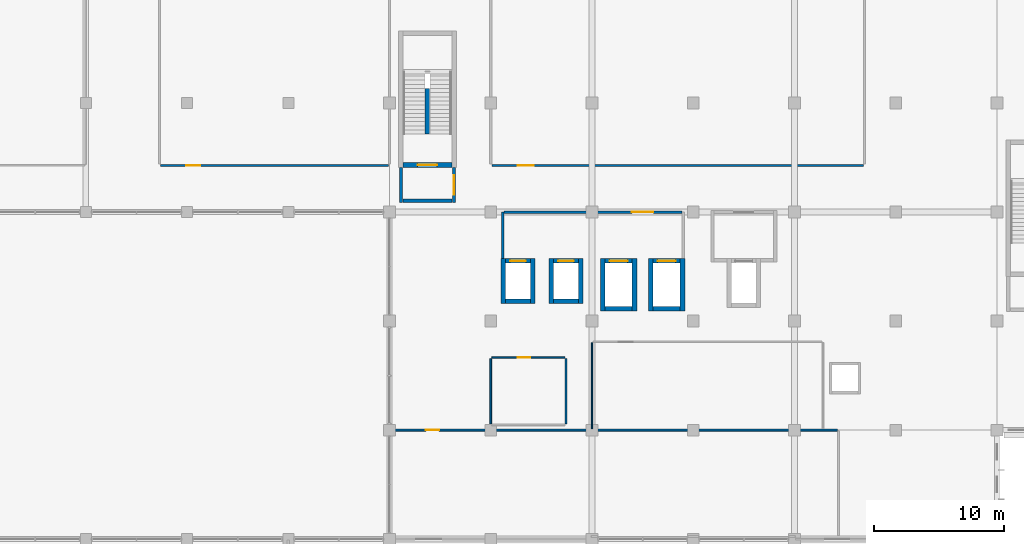
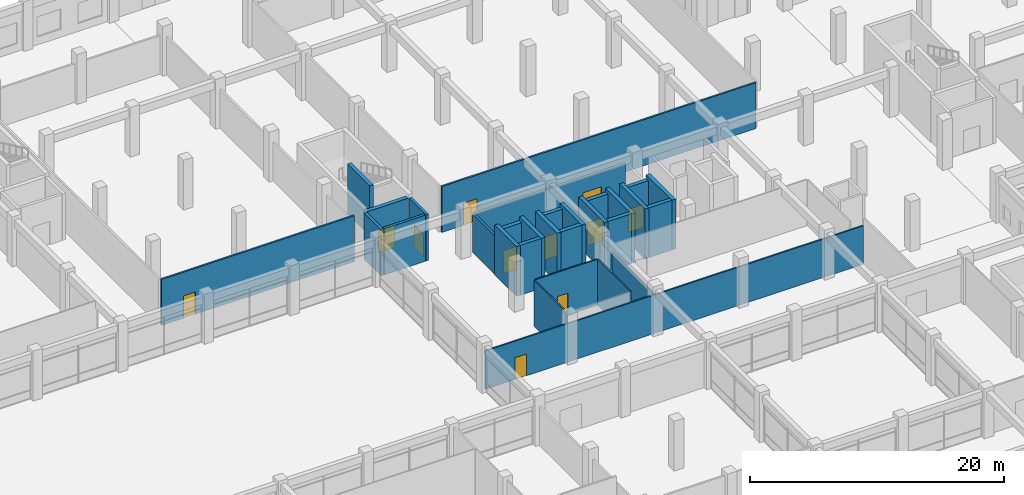
# One storey, part 51 of 74: 30 walls, 11 doors, 11 openings.
"""IFC4 building model written with IfcOpenShell, lengths in metres."""

from ifc_helpers import new_model, si_unit, direction, frame, frame_2d, origin, place, context, subcontext, project, spatial, rectangle, extrude, material, layer, layer_set, type_object, element, fill, save


model = new_model("IFC4")

# Units and contexts
model_context = context("Model", 3, precision=1e-05, world=origin(), true_north=direction((0.0, 1.0)))
body_context = subcontext(model_context, "Body", "Model", "MODEL_VIEW")
ifc_project = project(units=[si_unit("LENGTHUNIT", "METRE"), si_unit("AREAUNIT", "SQUARE_METRE"), si_unit("VOLUMEUNIT", "CUBIC_METRE"), si_unit("PLANEANGLEUNIT", "RADIAN"), si_unit("MASSUNIT", "GRAM", prefix="KILO"), si_unit("THERMODYNAMICTEMPERATUREUNIT", "KELVIN"), si_unit("POWERUNIT", "WATT")], contexts=[model_context])

# Site, building, storey
site_placement = place(None, origin())
site = spatial("IfcSite", under=ifc_project, at=site_placement, CompositionType="ELEMENT")
building_placement = place(site_placement, origin())
building = spatial("IfcBuilding", under=site, at=building_placement, Name="Srebrne Nadtorze General Hospital", CompositionType="ELEMENT")
storey_placement = place(building_placement, origin())
storey = spatial("IfcBuildingStorey", under=building, at=storey_placement, Name="L00", CompositionType="ELEMENT", Elevation=0.0)

# Wall, opening, door
ifc_material_1 = material(Name="Gypsum Healthcare Partition")
ifc_layer_1 = layer(ifc_material_1, 0.139892578125)
ifc_layer_set_1 = layer_set([ifc_layer_1], Name="Gypsum Healthcare Partition")
wall_type_1 = type_object("IfcWallType", Name="Clinical partition 140", PredefinedType="PARTITIONING", material=ifc_layer_set_1)
wall_1_placement = place(storey_placement, frame((101.485107421875, 33.60009765625, 0.0), z_axis=(0.0, 0.0, 1.0), x_axis=(1.0, 0.0, 0.0)))
wall_1 = element("IfcWall", 1, at=wall_1_placement, inside=storey, type_object=wall_type_1, Name="Outpatient Pre-Admission Assessment Clinic wall WL-INT-L00-1388", PredefinedType="PARTITIONING", context=body_context, shape_type="SweptSolid", body=[
    extrude(rectangle(XDim=34.429931640625, YDim=0.139892578125, at=frame_2d((17.21484375, 0.0))), origin(), (0.0, 0.0, 1.0), 3.699951171875),
])
opening_1_placement = place(wall_1_placement, frame((2.698486328125, 0.0, 0.0)))
opening_1 = element("IfcOpeningElement", 2, at=opening_1_placement, cuts=wall_1, Name="Opening D-L00-0212", PredefinedType="OPENING", context=body_context, shape_type="SweptSolid", body=[
    extrude(rectangle(XDim=1.050048828125, YDim=2.10009765625, at=frame_2d((0.52490234375, 1.050048828125))), frame((0.0, 0.08203125, 0.0), z_axis=(0.0, -1.0, 0.0), x_axis=(1.0, 0.0, 0.0)), (0.0, 0.0, 1.0), 0.163818359375),
])
ifc_material_2 = material(Name="Anodised Aluminium", Category="aluminium")
door_type_1 = type_object("IfcDoorType", Name="Single leaf door 1050x2100", OperationType="NOTDEFINED", PredefinedType="DOOR", material=ifc_material_2)
door_1_placement = place(opening_1_placement, frame((1.050048828125, 0.0, 0.0), z_axis=(0.0, 0.0, 1.0), x_axis=(-1.0, 0.0, 0.0)))
door_1 = element("IfcDoor", 3, at=door_1_placement, inside=storey, type_object=door_type_1, Name="Outpatient Pre-Admission Assessment Clinic door D-L00-0212", OperationType="SINGLE_SWING_RIGHT", OverallHeight=2.10009765625, OverallWidth=1.050048828125, PredefinedType="DOOR", context=body_context, shape_type="SweptSolid", body=[
    extrude(rectangle(XDim=1.050048828125, YDim=2.10009765625, at=frame_2d((0.52490234375, 1.050048828125))), frame((0.0, 0.02490234375, 0.0), z_axis=(0.0, -1.0, 0.0), x_axis=(1.0, 0.0, 0.0)), (0.0, 0.0, 1.0), 0.050048828125),
])
fill(opening_1, door_1)

ifc_material_3 = material(Name="Gypsum Healthcare Partition")
ifc_layer_2 = layer(ifc_material_3, 0.159912109375)
ifc_layer_set_2 = layer_set([ifc_layer_2], Name="Gypsum Healthcare Partition")
wall_type_2 = type_object("IfcWallType", Name="Clinical partition 160", PredefinedType="PARTITIONING", material=ifc_layer_set_2)
wall_2_placement = place(storey_placement, frame((83.760009765625, 54.0, 0.0), z_axis=(0.0, 0.0, 1.0), x_axis=(1.0, 0.0, 0.0)))
wall_2 = element("IfcWall", 4, at=wall_2_placement, inside=storey, type_object=wall_type_2, Name="Emergency Plaster and Fracture Clinic wall WL-INT-L00-1334", PredefinedType="PARTITIONING", context=body_context, shape_type="SweptSolid", body=[
    extrude(rectangle(XDim=17.554931640625, YDim=0.159912109375, at=frame_2d((8.77734375, 0.0))), origin(), (0.0, 0.0, 1.0), 4.429931640625),
])
opening_2_placement = place(wall_2_placement, frame((1.986328125, 0.0, 0.0)))
opening_2 = element("IfcOpeningElement", 5, at=opening_2_placement, cuts=wall_2, Name="Opening D-L00-0199", PredefinedType="OPENING", context=body_context, shape_type="SweptSolid", body=[
    extrude(rectangle(XDim=1.080078125, YDim=2.14990234375, at=frame_2d((0.5400390625, 1.074951171875))), frame((0.0, 0.091796875, 0.0), z_axis=(0.0, -1.0, 0.0), x_axis=(1.0, 0.0, 0.0)), (0.0, 0.0, 1.0), 0.183837890625),
])
ifc_material_4 = material(Name="Anodised Aluminium", Category="aluminium")
door_type_2 = type_object("IfcDoorType", Name="Single leaf door 1080x2150", OperationType="NOTDEFINED", PredefinedType="DOOR", material=ifc_material_4)
door_2_placement = place(opening_2_placement, origin())
door_2 = element("IfcDoor", 6, at=door_2_placement, inside=storey, type_object=door_type_2, Name="Emergency Plaster and Fracture Clinic door D-L00-0199", OperationType="SINGLE_SWING_LEFT", OverallHeight=2.14990234375, OverallWidth=1.080078125, PredefinedType="DOOR", context=body_context, shape_type="SweptSolid", body=[
    extrude(rectangle(XDim=1.080078125, YDim=2.14990234375, at=frame_2d((0.5400390625, 1.074951171875))), frame((0.0, 0.02490234375, 0.0), z_axis=(0.0, -1.0, 0.0), x_axis=(1.0, 0.0, 0.0)), (0.0, 0.0, 1.0), 0.050048828125),
])
fill(opening_2, door_2)

wall_3_placement = place(storey_placement, frame((109.284912109375, 54.0, 0.0), z_axis=(0.0, 0.0, 1.0), x_axis=(1.0, 0.0, 0.0)))
wall_3 = element("IfcWall", 7, at=wall_3_placement, inside=storey, type_object=wall_type_2, Name="Clinical Blood Bank and Transfusion wall WL-INT-L00-1347", PredefinedType="PARTITIONING", context=body_context, shape_type="SweptSolid", body=[
    extrude(rectangle(XDim=28.630126953125, YDim=0.159912109375, at=frame_2d((14.31494140625, 0.0))), origin(), (0.0, 0.0, 1.0), 4.429931640625),
])
opening_3_placement = place(wall_3_placement, frame((1.997314453125, 0.0, 0.0)))
opening_3 = element("IfcOpeningElement", 8, at=opening_3_placement, cuts=wall_3, Name="Opening D-L00-0202", PredefinedType="OPENING", context=body_context, shape_type="SweptSolid", body=[
    extrude(rectangle(XDim=1.219970703125, YDim=2.14990234375, at=frame_2d((0.60986328125, 1.074951171875))), frame((0.0, 0.091796875, 0.0), z_axis=(0.0, -1.0, 0.0), x_axis=(1.0, 0.0, 0.0)), (0.0, 0.0, 1.0), 0.183837890625),
])
ifc_material_5 = material(Name="Anodised Aluminium", Category="aluminium")
door_type_3 = type_object("IfcDoorType", Name="Single leaf door 1220x2150", OperationType="NOTDEFINED", PredefinedType="DOOR", material=ifc_material_5)
door_3_placement = place(opening_3_placement, origin())
door_3 = element("IfcDoor", 9, at=door_3_placement, inside=storey, type_object=door_type_3, Name="Clinical Blood Bank and Transfusion door D-L00-0202", OperationType="SINGLE_SWING_RIGHT", OverallHeight=2.14990234375, OverallWidth=1.219970703125, PredefinedType="DOOR", context=body_context, shape_type="SweptSolid", body=[
    extrude(rectangle(XDim=1.219970703125, YDim=2.14990234375, at=frame_2d((0.60986328125, 1.074951171875))), frame((0.0, 0.02490234375, 0.0), z_axis=(0.0, -1.0, 0.0), x_axis=(1.0, 0.0, 0.0)), (0.0, 0.0, 1.0), 0.050048828125),
])
fill(opening_3, door_3)

# Wall
ifc_material_6 = material(Name="Gypsum Healthcare Partition")
ifc_layer_3 = layer(ifc_material_6, 0.199951171875)
ifc_layer_set_3 = layer_set([ifc_layer_3], Name="Gypsum Healthcare Partition")
wall_type_3 = type_object("IfcWallType", Name="Compartment wall 200", PredefinedType="STANDARD", material=ifc_layer_set_3)
wall_4_placement = place(storey_placement, frame((110.1298828125, 46.81005859375, 0.0), z_axis=(0.0, 0.0, 1.0), x_axis=(0.0, 1.0, 0.0)))
element("IfcWall", 10, at=wall_4_placement, inside=storey, type_object=wall_type_3, Name="Lift lobby side wall WL-INT-L00-0909", PredefinedType="STANDARD", context=body_context, shape_type="SweptSolid", body=[
    extrude(rectangle(XDim=3.58984375, YDim=0.199951171875, at=frame_2d((1.794921875, 0.0))), origin(), (0.0, 0.0, 1.0), 3.699951171875),
])

# Wall, opening, door
wall_5_placement = place(storey_placement, frame((110.22998046875, 50.39990234375, 0.0), z_axis=(0.0, 0.0, 1.0), x_axis=(1.0, 0.0, 0.0)))
wall_5 = element("IfcWall", 11, at=wall_5_placement, inside=storey, type_object=wall_type_3, Name="Lift lobby corridor wall WL-INT-L00-0911", PredefinedType="STANDARD", context=body_context, shape_type="SweptSolid", body=[
    extrude(rectangle(XDim=13.68994140625, YDim=0.199951171875, at=frame_2d((6.844970703125, 0.0))), origin(), (0.0, 0.0, 1.0), 3.699951171875),
])
opening_4_placement = place(wall_5_placement, frame((9.844970703125, 0.0, 0.0)))
opening_4 = element("IfcOpeningElement", 12, at=opening_4_placement, cuts=wall_5, Name="Opening D-L00-0126", PredefinedType="OPENING", context=body_context, shape_type="SweptSolid", body=[
    extrude(rectangle(XDim=1.64990234375, YDim=2.25, at=frame_2d((0.824951171875, 1.125))), frame((0.0, 0.11181640625, 0.0), z_axis=(0.0, -1.0, 0.0), x_axis=(1.0, 0.0, 0.0)), (0.0, 0.0, 1.0), 0.223876953125),
])
ifc_material_7 = material(Name="Anodised Aluminium", Category="aluminium")
door_type_4 = type_object("IfcDoorType", Name="Double leaf door 1650x2250", OperationType="DOUBLE_DOOR_SINGLE_SWING", PredefinedType="DOOR", material=ifc_material_7)
door_4_placement = place(opening_4_placement, origin())
door_4 = element("IfcDoor", 13, at=door_4_placement, inside=storey, type_object=door_type_4, Name="Lift lobby corridor door D-L00-0126", OperationType="DOUBLE_DOOR_SINGLE_SWING", OverallHeight=2.25, OverallWidth=1.64990234375, PredefinedType="DOOR", context=body_context, shape_type="SweptSolid", body=[
    extrude(rectangle(XDim=1.64990234375, YDim=2.25, at=frame_2d((0.824951171875, 1.125))), frame((0.0, 0.02490234375, 0.0), z_axis=(0.0, -1.0, 0.0), x_axis=(1.0, 0.0, 0.0)), (0.0, 0.0, 1.0), 0.050048828125),
])
fill(opening_4, door_4)

# Wall
ifc_material_8 = material(Name="Gypsum Healthcare Partition")
ifc_layer_4 = layer(ifc_material_8, 0.239990234375)
ifc_layer_set_4 = layer_set([ifc_layer_4], Name="Gypsum Healthcare Partition")
wall_type_4 = type_object("IfcWallType", Name="Corridor fire wall 240", PredefinedType="STANDARD", material=ifc_layer_set_4)
wall_6_placement = place(storey_placement, frame((102.27490234375, 51.155029296875, 0.0), z_axis=(0.0, 0.0, 1.0), x_axis=(0.0, 1.0, 0.0)))
element("IfcWall", 14, at=wall_6_placement, inside=storey, type_object=wall_type_4, Name="Fire lobby wall ST-03 WL-INT-L00-0085", PredefinedType="STANDARD", context=body_context, shape_type="SweptSolid", body=[
    extrude(rectangle(XDim=2.695068359375, YDim=0.239990234375, at=frame_2d((1.34765625, 0.0))), origin(), (0.0, 0.0, 1.0), 4.449951171875),
])

# Wall, opening, door
wall_7_placement = place(storey_placement, frame((106.375, 51.155029296875, 0.0), z_axis=(0.0, 0.0, 1.0), x_axis=(0.0, 1.0, 0.0)))
wall_7 = element("IfcWall", 15, at=wall_7_placement, inside=storey, type_object=wall_type_4, Name="Fire lobby wall ST-03 WL-INT-L00-0086", PredefinedType="STANDARD", context=body_context, shape_type="SweptSolid", body=[
    extrude(rectangle(XDim=2.695068359375, YDim=0.239990234375, at=frame_2d((1.34765625, 0.0))), origin(), (0.0, 0.0, 1.0), 4.449951171875),
])
opening_5_placement = place(wall_7_placement, frame((0.597412109375, 0.0, 0.0)))
opening_5 = element("IfcOpeningElement", 16, at=opening_5_placement, cuts=wall_7, Name="Opening D-L00-0022", PredefinedType="OPENING", context=body_context, shape_type="SweptSolid", body=[
    extrude(rectangle(XDim=1.5, YDim=2.199951171875, at=frame_2d((0.75, 1.10009765625))), frame((0.0, 0.1318359375, 0.0), z_axis=(0.0, -1.0, 0.0), x_axis=(1.0, 0.0, 0.0)), (0.0, 0.0, 1.0), 0.263916015625),
])
ifc_material_9 = material(Name="Anodised Aluminium", Category="aluminium")
door_type_5 = type_object("IfcDoorType", Name="Double leaf door 1500x2200", OperationType="DOUBLE_DOOR_SINGLE_SWING", PredefinedType="DOOR", material=ifc_material_9)
door_5_placement = place(opening_5_placement, frame((1.5, 0.0, 0.0), z_axis=(0.0, 0.0, 1.0), x_axis=(-1.0, 0.0, 0.0)))
door_5 = element("IfcDoor", 17, at=door_5_placement, inside=storey, type_object=door_type_5, Name="Fire lobby door ST-03 D-L00-0022", OperationType="DOUBLE_DOOR_SINGLE_SWING", OverallHeight=2.199951171875, OverallWidth=1.5, PredefinedType="DOOR", context=body_context, shape_type="SweptSolid", body=[
    extrude(rectangle(XDim=1.5, YDim=2.199951171875, at=frame_2d((0.75, 1.10009765625))), frame((0.0, 0.02490234375, 0.0), z_axis=(0.0, -1.0, 0.0), x_axis=(1.0, 0.0, 0.0)), (0.0, 0.0, 1.0), 0.050048828125),
])
fill(opening_5, door_5)

# Wall
wall_8_placement = place(storey_placement, frame((102.449951171875, 51.27490234375, 0.0), z_axis=(0.0, 0.0, 1.0), x_axis=(1.0, 0.0, 0.0)))
element("IfcWall", 18, at=wall_8_placement, inside=storey, type_object=wall_type_4, Name="Fire lobby entry wall ST-03 WL-INT-L00-0087", PredefinedType="STANDARD", context=body_context, shape_type="SweptSolid", body=[
    extrude(rectangle(XDim=3.75, YDim=0.239990234375, at=frame_2d((1.875, 0.0))), origin(), (0.0, 0.0, 1.0), 4.449951171875),
])

# Wall, opening, door
ifc_material_10 = material(Name="Gypsum Healthcare Partition")
ifc_layer_5 = layer(ifc_material_10, 0.1201171875)
ifc_layer_set_5 = layer_set([ifc_layer_5], Name="Gypsum Healthcare Partition")
wall_type_5 = type_object("IfcWallType", Name="En-suite partition 120", PredefinedType="PARTITIONING", material=ifc_layer_set_5)
wall_9_placement = place(storey_placement, frame((109.284912109375, 39.199951171875, 0.0), z_axis=(0.0, 0.0, 1.0), x_axis=(1.0, 0.0, 0.0)))
wall_9 = element("IfcWall", 19, at=wall_9_placement, inside=storey, type_object=wall_type_5, Name="Staff WC wall WL-INT-L00-1381", PredefinedType="PARTITIONING", context=body_context, shape_type="SweptSolid", body=[
    extrude(rectangle(XDim=5.630126953125, YDim=0.1201171875, at=frame_2d((2.81494140625, 0.0))), origin(), (0.0, 0.0, 1.0), 4.429931640625),
])
opening_6_placement = place(wall_9_placement, frame((1.99169921875, 0.0, 0.0)))
opening_6 = element("IfcOpeningElement", 20, at=opening_6_placement, cuts=wall_9, Name="Opening D-L00-0211", PredefinedType="OPENING", context=body_context, shape_type="SweptSolid", body=[
    extrude(rectangle(XDim=0.949951171875, YDim=2.10009765625, at=frame_2d((0.47509765625, 1.050048828125))), frame((0.0, 0.072021484375, 0.0), z_axis=(0.0, -1.0, 0.0), x_axis=(1.0, 0.0, 0.0)), (0.0, 0.0, 1.0), 0.14404296875),
])
ifc_material_11 = material(Name="Anodised Aluminium", Category="aluminium")
door_type_6 = type_object("IfcDoorType", Name="Single leaf door 950x2100", OperationType="NOTDEFINED", PredefinedType="DOOR", material=ifc_material_11)
door_6_placement = place(opening_6_placement, frame((0.949951171875, 0.0, 0.0), z_axis=(0.0, 0.0, 1.0), x_axis=(-1.0, 0.0, 0.0)))
door_6 = element("IfcDoor", 21, at=door_6_placement, inside=storey, type_object=door_type_6, Name="Staff WC door D-L00-0211", OperationType="SINGLE_SWING_LEFT", OverallHeight=2.10009765625, OverallWidth=0.949951171875, PredefinedType="DOOR", context=body_context, shape_type="SweptSolid", body=[
    extrude(rectangle(XDim=0.949951171875, YDim=2.10009765625, at=frame_2d((0.47509765625, 1.050048828125))), frame((0.0, 0.02490234375, 0.0), z_axis=(0.0, -1.0, 0.0), x_axis=(1.0, 0.0, 0.0)), (0.0, 0.0, 1.0), 0.050048828125),
])
fill(opening_6, door_6)

# Walls
for number, where, z_axis, x_axis, name in (
    (22, (109.199951171875, 34.0849609375, 0.0), (0.0, 0.0, 1.0), (0.0, 1.0, 0.0), "Staff WC wall WL-INT-L00-1383"),
    (23, (115.0, 34.0849609375, 0.0), (0.0, 0.0, 1.0), (0.0, 1.0, 0.0), "Staff WC wall WL-INT-L00-1384"),
):
    element("IfcWall", number, at=place(storey_placement, frame(where, z_axis=z_axis, x_axis=x_axis)), inside=storey, type_object=wall_type_5, Name=name, PredefinedType="PARTITIONING", context=body_context, shape_type="SweptSolid", body=[
        extrude(rectangle(XDim=5.030029296875, YDim=0.1201171875, at=frame_2d((2.51513671875, 0.0))), origin(), (0.0, 0.0, 1.0), 4.429931640625),
    ])
ifc_material_12 = material(Name="Gypsum Healthcare Partition")
ifc_layer_6 = layer(ifc_material_12, 0.10009765625)
ifc_layer_set_6 = layer_set([ifc_layer_6], Name="Gypsum Healthcare Partition")
wall_type_6 = type_object("IfcWallType", Name="Shaft lining wall 100", PredefinedType="PARTITIONING", material=ifc_layer_set_6)
wall_10_placement = place(storey_placement, frame((117.0, 33.68505859375, 0.0), z_axis=(0.0, 0.0, 1.0), x_axis=(0.0, 1.0, 0.0)))
element("IfcWall", 24, at=wall_10_placement, inside=storey, type_object=wall_type_6, Name="Diagnostic Specimen Reception Lab wall WL-INT-L00-1391", PredefinedType="PARTITIONING", context=body_context, shape_type="SweptSolid", body=[
    extrude(rectangle(XDim=6.6298828125, YDim=0.10009765625, at=frame_2d((3.31494140625, 0.0))), origin(), (0.0, 0.0, 1.0), 3.699951171875),
])

# Wall, opening, door
ifc_material_13 = material(Name="Concrete C40/50", Category="concrete")
ifc_layer_7 = layer(ifc_material_13, 0.35009765625)
ifc_layer_set_7 = layer_set([ifc_layer_7], Name="Concrete C40/50")
wall_type_7 = type_object("IfcWallType", Name="Shear core wall 350", PredefinedType="SHEAR", material=ifc_layer_set_7)
wall_11_placement = place(storey_placement, frame((102.449951171875, 54.02490234375, 0.0), z_axis=(0.0, 0.0, 1.0), x_axis=(1.0, 0.0, 0.0)))
wall_11 = element("IfcWall", 25, at=wall_11_placement, inside=storey, type_object=wall_type_7, Name="Stairwell fire wall ST-03 WL-INT-L00-0084", PredefinedType="SHEAR", context=body_context, shape_type="SweptSolid", body=[
    extrude(rectangle(XDim=3.75, YDim=0.35009765625, at=frame_2d((1.875, 0.0))), origin(), (0.0, 0.0, 1.0), 4.449951171875),
])
opening_7_placement = place(wall_11_placement, frame((1.125, 0.0, 0.0)))
opening_7 = element("IfcOpeningElement", 26, at=opening_7_placement, cuts=wall_11, Name="Opening D-L00-0021", PredefinedType="OPENING", context=body_context, shape_type="SweptSolid", body=[
    extrude(rectangle(XDim=1.5, YDim=2.199951171875, at=frame_2d((0.75, 1.10009765625))), frame((0.0, 0.18701171875, 0.0), z_axis=(0.0, -1.0, 0.0), x_axis=(1.0, 0.0, 0.0)), (0.0, 0.0, 1.0), 0.3740234375),
])
door_7_placement = place(opening_7_placement, frame((1.5, 0.0, 0.0), z_axis=(0.0, 0.0, 1.0), x_axis=(-1.0, 0.0, 0.0)))
door_7 = element("IfcDoor", 27, at=door_7_placement, inside=storey, type_object=door_type_5, Name="Protected stair door ST-03 D-L00-0021", OperationType="DOUBLE_DOOR_SINGLE_SWING", OverallHeight=2.199951171875, OverallWidth=1.5, PredefinedType="DOOR", context=body_context, shape_type="SweptSolid", body=[
    extrude(rectangle(XDim=1.5, YDim=2.199951171875, at=frame_2d((0.75, 1.10009765625))), frame((0.0, 0.02490234375, 0.0), z_axis=(0.0, -1.0, 0.0), x_axis=(1.0, 0.0, 0.0)), (0.0, 0.0, 1.0), 0.050048828125),
])
fill(opening_7, door_7)

# Walls
wall_12_placement = place(storey_placement, frame((104.324951171875, 56.39990234375, 0.0), z_axis=(0.0, 0.0, 1.0), x_axis=(0.0, 1.0, 0.0)))
element("IfcWall", 28, at=wall_12_placement, inside=storey, type_object=wall_type_7, Name="Stair spine wall ST-03 WL-INT-L00-0088", PredefinedType="SHEAR", context=body_context, shape_type="SweptSolid", body=[
    extrude(rectangle(XDim=3.52001953125, YDim=0.35009765625, at=frame_2d((1.760009765625, 0.0))), origin(), (0.0, 0.0, 1.0), 4.800048828125),
])
for number, where, z_axis, x_axis, name in (
    (29, (110.175048828125, 43.360107421875, 0.0), (0.0, 0.0, 1.0), (0.0, 1.0, 0.0), "Lift shaft wall LP-03 WL-INT-L00-0702"),
    (30, (112.425048828125, 43.360107421875, 0.0), (0.0, 0.0, 1.0), (0.0, 1.0, 0.0), "Lift shaft wall LP-03 WL-INT-L00-0703"),
):
    element("IfcWall", number, at=place(storey_placement, frame(where, z_axis=z_axis, x_axis=x_axis)), inside=storey, type_object=wall_type_7, Name=name, PredefinedType="SHEAR", context=body_context, shape_type="SweptSolid", body=[
        extrude(rectangle(XDim=3.449951171875, YDim=0.35009765625, at=frame_2d((1.72509765625, 0.0))), origin(), (0.0, 0.0, 1.0), 4.800048828125),
    ])
wall_13_placement = place(storey_placement, frame((110.35009765625, 43.534912109375, 0.0), z_axis=(0.0, 0.0, 1.0), x_axis=(1.0, 0.0, 0.0)))
element("IfcWall", 31, at=wall_13_placement, inside=storey, type_object=wall_type_7, Name="Lift shaft back wall LP-03 WL-INT-L00-0704", PredefinedType="SHEAR", context=body_context, shape_type="SweptSolid", body=[
    extrude(rectangle(XDim=1.89990234375, YDim=0.35009765625, at=frame_2d((0.949951171875, 0.0))), origin(), (0.0, 0.0, 1.0), 4.800048828125),
])

# Wall, opening, door
wall_14_placement = place(storey_placement, frame((110.35009765625, 46.635009765625, 0.0), z_axis=(0.0, 0.0, 1.0), x_axis=(1.0, 0.0, 0.0)))
wall_14 = element("IfcWall", 32, at=wall_14_placement, inside=storey, type_object=wall_type_7, Name="Lift shaft front wall LP-03 WL-INT-L00-0705", PredefinedType="SHEAR", context=body_context, shape_type="SweptSolid", body=[
    extrude(rectangle(XDim=1.89990234375, YDim=0.35009765625, at=frame_2d((0.949951171875, 0.0))), origin(), (0.0, 0.0, 1.0), 4.449951171875),
])
opening_8_placement = place(wall_14_placement, frame((0.35009765625, 0.0, 0.0)))
opening_8 = element("IfcOpeningElement", 33, at=opening_8_placement, cuts=wall_14, Name="Opening LD-L00-060", PredefinedType="OPENING", context=body_context, shape_type="SweptSolid", body=[
    extrude(rectangle(XDim=1.199951171875, YDim=2.199951171875, at=frame_2d((0.60009765625, 1.10009765625))), frame((0.0, 0.18701171875, 0.0), z_axis=(0.0, -1.0, 0.0), x_axis=(1.0, 0.0, 0.0)), (0.0, 0.0, 1.0), 0.3740234375),
])
ifc_material_14 = material(Name="Anodised Aluminium", Category="aluminium")
door_type_7 = type_object("IfcDoorType", Name="Sliding lift door 1200x2200", OperationType="SLIDING_TO_LEFT", PredefinedType="DOOR", material=ifc_material_14)
door_8_placement = place(opening_8_placement, origin())
door_8 = element("IfcDoor", 34, at=door_8_placement, inside=storey, type_object=door_type_7, Name="Lift Landing Door LD-L00-060", OperationType="SLIDING_TO_LEFT", OverallHeight=2.199951171875, OverallWidth=1.199951171875, PredefinedType="DOOR", context=body_context, shape_type="SweptSolid", body=[
    extrude(rectangle(XDim=1.199951171875, YDim=2.199951171875, at=frame_2d((0.60009765625, 1.10009765625))), frame((0.0, 0.02490234375, 0.0), z_axis=(0.0, -1.0, 0.0), x_axis=(1.0, 0.0, 0.0)), (0.0, 0.0, 1.0), 0.050048828125),
])
fill(opening_8, door_8)

# Walls
for number, where, z_axis, x_axis, name in (
    (35, (113.875, 43.360107421875, 0.0), (0.0, 0.0, 1.0), (0.0, 1.0, 0.0), "Lift shaft wall LP-04 WL-INT-L00-0734"),
    (36, (116.125, 43.360107421875, 0.0), (0.0, 0.0, 1.0), (0.0, 1.0, 0.0), "Lift shaft wall LP-04 WL-INT-L00-0735"),
):
    element("IfcWall", number, at=place(storey_placement, frame(where, z_axis=z_axis, x_axis=x_axis)), inside=storey, type_object=wall_type_7, Name=name, PredefinedType="SHEAR", context=body_context, shape_type="SweptSolid", body=[
        extrude(rectangle(XDim=3.449951171875, YDim=0.35009765625, at=frame_2d((1.72509765625, 0.0))), origin(), (0.0, 0.0, 1.0), 4.800048828125),
    ])
wall_15_placement = place(storey_placement, frame((114.050048828125, 43.534912109375, 0.0), z_axis=(0.0, 0.0, 1.0), x_axis=(1.0, 0.0, 0.0)))
element("IfcWall", 37, at=wall_15_placement, inside=storey, type_object=wall_type_7, Name="Lift shaft back wall LP-04 WL-INT-L00-0736", PredefinedType="SHEAR", context=body_context, shape_type="SweptSolid", body=[
    extrude(rectangle(XDim=1.89990234375, YDim=0.35009765625, at=frame_2d((0.949951171875, 0.0))), origin(), (0.0, 0.0, 1.0), 4.800048828125),
])

# Wall, opening, door
wall_16_placement = place(storey_placement, frame((114.050048828125, 46.635009765625, 0.0), z_axis=(0.0, 0.0, 1.0), x_axis=(1.0, 0.0, 0.0)))
wall_16 = element("IfcWall", 38, at=wall_16_placement, inside=storey, type_object=wall_type_7, Name="Lift shaft front wall LP-04 WL-INT-L00-0737", PredefinedType="SHEAR", context=body_context, shape_type="SweptSolid", body=[
    extrude(rectangle(XDim=1.89990234375, YDim=0.35009765625, at=frame_2d((0.949951171875, 0.0))), origin(), (0.0, 0.0, 1.0), 4.449951171875),
])
opening_9_placement = place(wall_16_placement, frame((0.35009765625, 0.0, 0.0)))
opening_9 = element("IfcOpeningElement", 39, at=opening_9_placement, cuts=wall_16, Name="Opening LD-L00-068", PredefinedType="OPENING", context=body_context, shape_type="SweptSolid", body=[
    extrude(rectangle(XDim=1.199951171875, YDim=2.199951171875, at=frame_2d((0.60009765625, 1.10009765625))), frame((0.0, 0.18701171875, 0.0), z_axis=(0.0, -1.0, 0.0), x_axis=(1.0, 0.0, 0.0)), (0.0, 0.0, 1.0), 0.3740234375),
])
door_9_placement = place(opening_9_placement, origin())
door_9 = element("IfcDoor", 40, at=door_9_placement, inside=storey, type_object=door_type_7, Name="Lift Landing Door LD-L00-068", OperationType="SLIDING_TO_LEFT", OverallHeight=2.199951171875, OverallWidth=1.199951171875, PredefinedType="DOOR", context=body_context, shape_type="SweptSolid", body=[
    extrude(rectangle(XDim=1.199951171875, YDim=2.199951171875, at=frame_2d((0.60009765625, 1.10009765625))), frame((0.0, 0.02490234375, 0.0), z_axis=(0.0, -1.0, 0.0), x_axis=(1.0, 0.0, 0.0)), (0.0, 0.0, 1.0), 0.050048828125),
])
fill(opening_9, door_9)

# Walls
for number, where, z_axis, x_axis, name in (
    (41, (117.824951171875, 42.760009765625, 0.0), (0.0, 0.0, 1.0), (0.0, 1.0, 0.0), "Lift shaft wall LS-03 WL-INT-L00-0766"),
    (42, (120.27490234375, 42.760009765625, 0.0), (0.0, 0.0, 1.0), (0.0, 1.0, 0.0), "Lift shaft wall LS-03 WL-INT-L00-0767"),
):
    element("IfcWall", number, at=place(storey_placement, frame(where, z_axis=z_axis, x_axis=x_axis)), inside=storey, type_object=wall_type_7, Name=name, PredefinedType="SHEAR", context=body_context, shape_type="SweptSolid", body=[
        extrude(rectangle(XDim=4.050048828125, YDim=0.35009765625, at=frame_2d((2.02490234375, 0.0))), origin(), (0.0, 0.0, 1.0), 4.800048828125),
    ])
wall_17_placement = place(storey_placement, frame((118.0, 42.93505859375, 0.0), z_axis=(0.0, 0.0, 1.0), x_axis=(1.0, 0.0, 0.0)))
element("IfcWall", 43, at=wall_17_placement, inside=storey, type_object=wall_type_7, Name="Lift shaft back wall LS-03 WL-INT-L00-0768", PredefinedType="SHEAR", context=body_context, shape_type="SweptSolid", body=[
    extrude(rectangle(XDim=2.10009765625, YDim=0.35009765625, at=frame_2d((1.050048828125, 0.0))), origin(), (0.0, 0.0, 1.0), 4.800048828125),
])

# Wall, opening, door
wall_18_placement = place(storey_placement, frame((118.0, 46.635009765625, 0.0), z_axis=(0.0, 0.0, 1.0), x_axis=(1.0, 0.0, 0.0)))
wall_18 = element("IfcWall", 44, at=wall_18_placement, inside=storey, type_object=wall_type_7, Name="Lift shaft front wall LS-03 WL-INT-L00-0769", PredefinedType="SHEAR", context=body_context, shape_type="SweptSolid", body=[
    extrude(rectangle(XDim=2.10009765625, YDim=0.35009765625, at=frame_2d((1.050048828125, 0.0))), origin(), (0.0, 0.0, 1.0), 4.449951171875),
])
opening_10_placement = place(wall_18_placement, frame((0.35009765625, 0.0, 0.0)))
opening_10 = element("IfcOpeningElement", 45, at=opening_10_placement, cuts=wall_18, Name="Opening LD-L00-076", PredefinedType="OPENING", context=body_context, shape_type="SweptSolid", body=[
    extrude(rectangle(XDim=1.39990234375, YDim=2.199951171875, at=frame_2d((0.699951171875, 1.10009765625))), frame((0.0, 0.18701171875, 0.0), z_axis=(0.0, -1.0, 0.0), x_axis=(1.0, 0.0, 0.0)), (0.0, 0.0, 1.0), 0.3740234375),
])
ifc_material_15 = material(Name="Anodised Aluminium", Category="aluminium")
door_type_8 = type_object("IfcDoorType", Name="Sliding lift door 1400x2200", OperationType="SLIDING_TO_LEFT", PredefinedType="DOOR", material=ifc_material_15)
door_10_placement = place(opening_10_placement, origin())
door_10 = element("IfcDoor", 46, at=door_10_placement, inside=storey, type_object=door_type_8, Name="Lift Landing Door LD-L00-076", OperationType="SLIDING_TO_LEFT", OverallHeight=2.199951171875, OverallWidth=1.39990234375, PredefinedType="DOOR", context=body_context, shape_type="SweptSolid", body=[
    extrude(rectangle(XDim=1.39990234375, YDim=2.199951171875, at=frame_2d((0.699951171875, 1.10009765625))), frame((0.0, 0.02490234375, 0.0), z_axis=(0.0, -1.0, 0.0), x_axis=(1.0, 0.0, 0.0)), (0.0, 0.0, 1.0), 0.050048828125),
])
fill(opening_10, door_10)

# Walls
for number, where, z_axis, x_axis, name in (
    (47, (121.52490234375, 42.760009765625, 0.0), (0.0, 0.0, 1.0), (0.0, 1.0, 0.0), "Lift shaft wall LS-04 WL-INT-L00-0802"),
    (48, (123.97509765625, 42.760009765625, 0.0), (0.0, 0.0, 1.0), (0.0, 1.0, 0.0), "Lift shaft wall LS-04 WL-INT-L00-0803"),
):
    element("IfcWall", number, at=place(storey_placement, frame(where, z_axis=z_axis, x_axis=x_axis)), inside=storey, type_object=wall_type_7, Name=name, PredefinedType="SHEAR", context=body_context, shape_type="SweptSolid", body=[
        extrude(rectangle(XDim=4.050048828125, YDim=0.35009765625, at=frame_2d((2.02490234375, 0.0))), origin(), (0.0, 0.0, 1.0), 4.800048828125),
    ])
wall_19_placement = place(storey_placement, frame((121.699951171875, 42.93505859375, 0.0), z_axis=(0.0, 0.0, 1.0), x_axis=(1.0, 0.0, 0.0)))
element("IfcWall", 49, at=wall_19_placement, inside=storey, type_object=wall_type_7, Name="Lift shaft back wall LS-04 WL-INT-L00-0804", PredefinedType="SHEAR", context=body_context, shape_type="SweptSolid", body=[
    extrude(rectangle(XDim=2.10009765625, YDim=0.35009765625, at=frame_2d((1.050048828125, 0.0))), origin(), (0.0, 0.0, 1.0), 4.800048828125),
])

# Wall, opening, door
wall_20_placement = place(storey_placement, frame((121.699951171875, 46.635009765625, 0.0), z_axis=(0.0, 0.0, 1.0), x_axis=(1.0, 0.0, 0.0)))
wall_20 = element("IfcWall", 50, at=wall_20_placement, inside=storey, type_object=wall_type_7, Name="Lift shaft front wall LS-04 WL-INT-L00-0805", PredefinedType="SHEAR", context=body_context, shape_type="SweptSolid", body=[
    extrude(rectangle(XDim=2.10009765625, YDim=0.35009765625, at=frame_2d((1.050048828125, 0.0))), origin(), (0.0, 0.0, 1.0), 4.449951171875),
])
opening_11_placement = place(wall_20_placement, frame((0.35009765625, 0.0, 0.0)))
opening_11 = element("IfcOpeningElement", 51, at=opening_11_placement, cuts=wall_20, Name="Opening LD-L00-085", PredefinedType="OPENING", context=body_context, shape_type="SweptSolid", body=[
    extrude(rectangle(XDim=1.39990234375, YDim=2.199951171875, at=frame_2d((0.699951171875, 1.10009765625))), frame((0.0, 0.18701171875, 0.0), z_axis=(0.0, -1.0, 0.0), x_axis=(1.0, 0.0, 0.0)), (0.0, 0.0, 1.0), 0.3740234375),
])
door_11_placement = place(opening_11_placement, origin())
door_11 = element("IfcDoor", 52, at=door_11_placement, inside=storey, type_object=door_type_8, Name="Lift Landing Door LD-L00-085", OperationType="SLIDING_TO_LEFT", OverallHeight=2.199951171875, OverallWidth=1.39990234375, PredefinedType="DOOR", context=body_context, shape_type="SweptSolid", body=[
    extrude(rectangle(XDim=1.39990234375, YDim=2.199951171875, at=frame_2d((0.699951171875, 1.10009765625))), frame((0.0, 0.02490234375, 0.0), z_axis=(0.0, -1.0, 0.0), x_axis=(1.0, 0.0, 0.0)), (0.0, 0.0, 1.0), 0.050048828125),
])
fill(opening_11, door_11)

save(model, "model.ifc")
